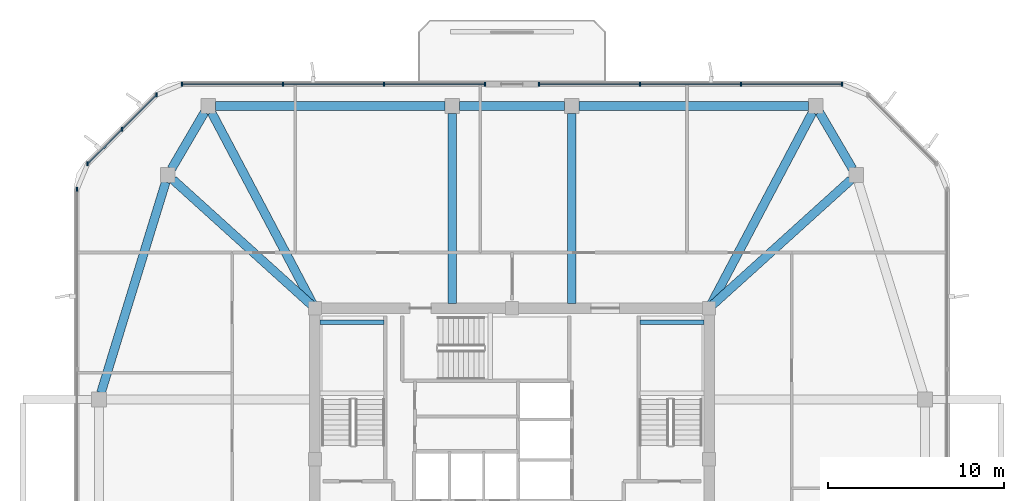
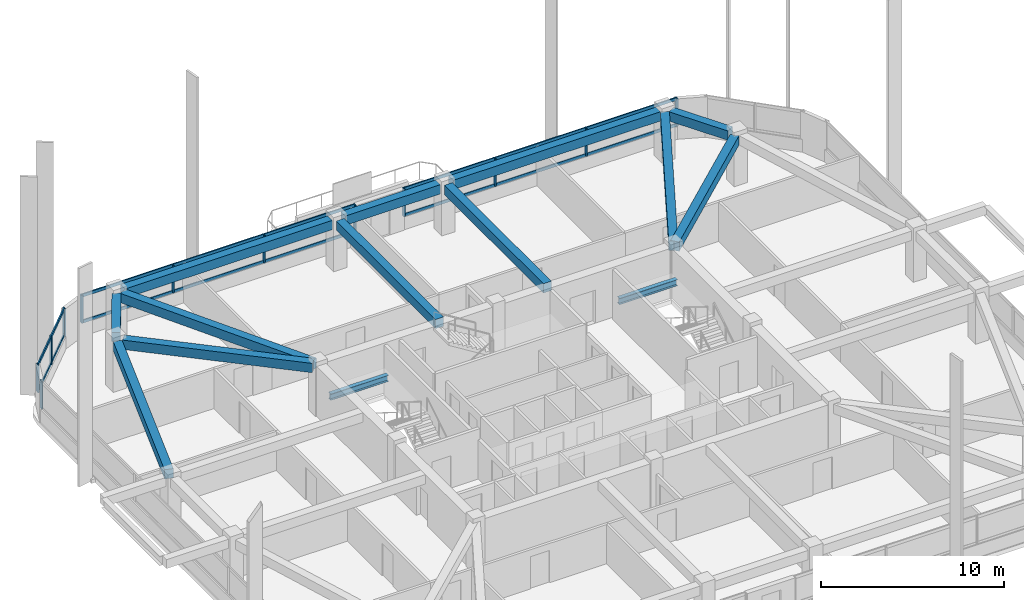
# One storey, part 4 of 12: 18 members, 14 beams, 4 elements without a shape of their own.
"""IFC4 building model written with IfcOpenShell, lengths in metres."""

from ifc_helpers import new_model, si_unit, derived_unit, direction, frame, origin, origin_2d, place, context, subcontext, project, spatial, rectangle, i_section, extrude, material, material_profile, profile_set, type_object, element, aggregate, save


model = new_model("IFC4")

# Units and contexts
model_context = context("Model", 3, precision=1e-05, world=origin(), true_north=direction((0.0, 1.0)))
body_context = subcontext(model_context, "Body", "Model", "MODEL_VIEW")
ifc_project = project(units=[si_unit("LENGTHUNIT", "METRE"), si_unit("AREAUNIT", "SQUARE_METRE"), si_unit("VOLUMEUNIT", "CUBIC_METRE"), si_unit("PLANEANGLEUNIT", "RADIAN"), si_unit("MASSUNIT", "GRAM", prefix="KILO"), derived_unit("THERMALTRANSMITTANCEUNIT", [(si_unit("POWERUNIT", "WATT"), 1), (si_unit("LENGTHUNIT", "METRE"), -2), (si_unit("THERMODYNAMICTEMPERATUREUNIT", "KELVIN"), -1)])], contexts=[model_context])

# Site, building, storey
site_placement = place(None, origin())
site = spatial("IfcSite", under=ifc_project, at=site_placement, CompositionType="ELEMENT")
building_placement = place(site_placement, origin())
building = spatial("IfcBuilding", under=site, at=building_placement, Name="Koralith Skygarden Medical Center", CompositionType="ELEMENT")
storey_placement = place(building_placement, frame((0.0, 0.0, 268.02001953125)))
storey = spatial("IfcBuildingStorey", under=building, at=storey_placement, Name="L69", CompositionType="ELEMENT", Elevation=268.02001953125)

# Curtain wall, members
ifc_material_1 = material(Name="Clear Laminated Glass", Category="glass")
curtain_wall_type = type_object("IfcCurtainWallType", Name="CW-6 Zone 5 Upper Clinical Curtain Wall", PredefinedType="NOTDEFINED", material=ifc_material_1)
curtain_wall_1_placement = place(storey_placement, origin())
curtain_wall_1 = element("IfcCurtainWall", 1, at=curtain_wall_1_placement, inside=storey, type_object=curtain_wall_type, Name="Curtain Wall CW-L69-N-L", PredefinedType="NOTDEFINED")
ifc_material_2 = material(Name="Aluminium 6063-T6", Category="aluminium")
ifc_material_profile_1 = material_profile(ifc_material_2, rectangle(XDim=0.0830078125, YDim=0.219970703125, at=origin_2d()), Name="MUL83X220")
ifc_profile_set_1 = profile_set([ifc_material_profile_1], Name="Aluminium 6063-T6")
member_type_1 = type_object("IfcMemberType", Name="CW-6 Extruded Mullion 83x220", PredefinedType="MULLION", material=ifc_profile_set_1)
member_1_placement = place(storey_placement, frame((55.7451171875, 47.219970703125, 0.85009765625), z_axis=(0.0, 0.0, 1.0), x_axis=(1.0, 0.0, 0.0)))
member_1 = element("IfcMember", 2, at=member_1_placement, type_object=member_type_1, Name="CW-L69-N-L Mullion 1", PredefinedType="MULLION", context=body_context, shape_type="SweptSolid", body=[
    extrude(rectangle(XDim=0.0830078125, YDim=0.219970703125, at=origin_2d()), origin(), (0.0, 0.0, 1.0), 1.83984375),
])
member_2_placement = place(storey_placement, frame((50.010009765625, 47.219970703125, 0.85009765625), z_axis=(0.0, 0.0, 1.0), x_axis=(1.0, 0.0, 0.0)))
member_2 = element("IfcMember", 3, at=member_2_placement, type_object=member_type_1, Name="CW-L69-N-L Mullion 2", PredefinedType="MULLION", context=body_context, shape_type="SweptSolid", body=[
    extrude(rectangle(XDim=0.0830078125, YDim=0.219970703125, at=origin_2d()), origin(), (0.0, 0.0, 1.0), 1.83984375),
])
member_3_placement = place(storey_placement, frame((44.27587890625, 47.219970703125, 0.85009765625), z_axis=(0.0, 0.0, 1.0), x_axis=(1.0, 0.0, 0.0)))
member_3 = element("IfcMember", 4, at=member_3_placement, type_object=member_type_1, Name="CW-L69-N-L Mullion 3", PredefinedType="MULLION", context=body_context, shape_type="SweptSolid", body=[
    extrude(rectangle(XDim=0.0830078125, YDim=0.219970703125, at=origin_2d()), origin(), (0.0, 0.0, 1.0), 1.83984375),
])
member_4_placement = place(storey_placement, frame((38.541015625, 47.219970703125, 0.85009765625), z_axis=(0.0, 0.0, 1.0), x_axis=(1.0, 0.0, 0.0)))
member_4 = element("IfcMember", 5, at=member_4_placement, type_object=member_type_1, Name="CW-L69-N-L Mullion 4", PredefinedType="MULLION", context=body_context, shape_type="SweptSolid", body=[
    extrude(rectangle(XDim=0.0830078125, YDim=0.219970703125, at=origin_2d()), origin(), (0.0, 0.0, 1.0), 1.83984375),
])

curtain_wall_2_placement = place(storey_placement, origin())
curtain_wall_2 = element("IfcCurtainWall", 6, at=curtain_wall_2_placement, inside=storey, type_object=curtain_wall_type, Name="Curtain Wall CW-L69-N-R", PredefinedType="NOTDEFINED")
member_5_placement = place(storey_placement, frame((35.4609375, 47.219970703125, 0.85009765625), z_axis=(0.0, 0.0, 1.0), x_axis=(1.0, 0.0, 0.0)))
member_5 = element("IfcMember", 7, at=member_5_placement, type_object=member_type_1, Name="CW-L69-N-R Mullion 1", PredefinedType="MULLION", context=body_context, shape_type="SweptSolid", body=[
    extrude(rectangle(XDim=0.0830078125, YDim=0.219970703125, at=origin_2d()), origin(), (0.0, 0.0, 1.0), 1.83984375),
])
member_6_placement = place(storey_placement, frame((29.72607421875, 47.219970703125, 0.85009765625), z_axis=(0.0, 0.0, 1.0), x_axis=(1.0, 0.0, 0.0)))
member_6 = element("IfcMember", 8, at=member_6_placement, type_object=member_type_1, Name="CW-L69-N-R Mullion 2", PredefinedType="MULLION", context=body_context, shape_type="SweptSolid", body=[
    extrude(rectangle(XDim=0.0830078125, YDim=0.219970703125, at=origin_2d()), origin(), (0.0, 0.0, 1.0), 1.83984375),
])
member_7_placement = place(storey_placement, frame((23.989990234375, 47.219970703125, 0.85009765625), z_axis=(0.0, 0.0, 1.0), x_axis=(1.0, 0.0, 0.0)))
member_7 = element("IfcMember", 9, at=member_7_placement, type_object=member_type_1, Name="CW-L69-N-R Mullion 3", PredefinedType="MULLION", context=body_context, shape_type="SweptSolid", body=[
    extrude(rectangle(XDim=0.0830078125, YDim=0.219970703125, at=origin_2d()), origin(), (0.0, 0.0, 1.0), 1.83984375),
])
member_8_placement = place(storey_placement, frame((18.2548828125, 47.219970703125, 0.85009765625), z_axis=(0.0, 0.0, 1.0), x_axis=(1.0, 0.0, 0.0)))
member_8 = element("IfcMember", 10, at=member_8_placement, type_object=member_type_1, Name="CW-L69-N-R Mullion 4", PredefinedType="MULLION", context=body_context, shape_type="SweptSolid", body=[
    extrude(rectangle(XDim=0.0830078125, YDim=0.219970703125, at=origin_2d()), origin(), (0.0, 0.0, 1.0), 1.83984375),
])

curtain_wall_3_placement = place(storey_placement, origin())
curtain_wall_3 = element("IfcCurtainWall", 11, at=curtain_wall_3_placement, inside=storey, type_object=curtain_wall_type, Name="Curtain Wall CW-L69-NW", PredefinedType="NOTDEFINED")
member_9_placement = place(storey_placement, frame((16.803955078125, 46.618896484375, 0.85009765625), z_axis=(0.0, 0.0, 1.0), x_axis=(1.0, 0.0, 0.0)))
member_9 = element("IfcMember", 12, at=member_9_placement, type_object=member_type_1, Name="CW-L69-NW Mullion 1", PredefinedType="MULLION", context=body_context, shape_type="SweptSolid", body=[
    extrude(rectangle(XDim=0.0830078125, YDim=0.219970703125, at=origin_2d()), origin(), (0.0, 0.0, 1.0), 1.83984375),
])
member_10_placement = place(storey_placement, frame((14.842041015625, 44.656982421875, 0.85009765625), z_axis=(0.0, 0.0, 1.0), x_axis=(1.0, 0.0, 0.0)))
member_10 = element("IfcMember", 13, at=member_10_placement, type_object=member_type_1, Name="CW-L69-NW Mullion 2", PredefinedType="MULLION", context=body_context, shape_type="SweptSolid", body=[
    extrude(rectangle(XDim=0.0830078125, YDim=0.219970703125, at=origin_2d()), origin(), (0.0, 0.0, 1.0), 1.83984375),
])
member_11_placement = place(storey_placement, frame((12.881103515625, 42.696044921875, 0.85009765625), z_axis=(0.0, 0.0, 1.0), x_axis=(1.0, 0.0, 0.0)))
member_11 = element("IfcMember", 14, at=member_11_placement, type_object=member_type_1, Name="CW-L69-NW Mullion 3", PredefinedType="MULLION", context=body_context, shape_type="SweptSolid", body=[
    extrude(rectangle(XDim=0.0830078125, YDim=0.219970703125, at=origin_2d()), origin(), (0.0, 0.0, 1.0), 1.83984375),
])

# Curtain wall, member
curtain_wall_4_placement = place(storey_placement, origin())
curtain_wall_4 = element("IfcCurtainWall", 15, at=curtain_wall_4_placement, inside=storey, type_object=curtain_wall_type, Name="Curtain Wall CW-L69-W", PredefinedType="NOTDEFINED")
member_12_placement = place(storey_placement, frame((12.280029296875, 41.2451171875, 0.85009765625), z_axis=(0.0, 0.0, 1.0), x_axis=(1.0, 0.0, 0.0)))
member_12 = element("IfcMember", 16, at=member_12_placement, type_object=member_type_1, Name="CW-L69-W Mullion 1", PredefinedType="MULLION", context=body_context, shape_type="SweptSolid", body=[
    extrude(rectangle(XDim=0.0830078125, YDim=0.219970703125, at=origin_2d()), origin(), (0.0, 0.0, 1.0), 1.83984375),
])
aggregate(curtain_wall_4, [member_12])

# Member
ifc_material_profile_2 = material_profile(ifc_material_2, rectangle(XDim=0.077880859375, YDim=0.197998046875, at=origin_2d()), Name="TRN78X198")
ifc_profile_set_2 = profile_set([ifc_material_profile_2], Name="Aluminium 6063-T6")
member_type_2 = type_object("IfcMemberType", Name="CW-6 Thermal Transom 78x198", PredefinedType="USERDEFINED", material=ifc_profile_set_2)
member_13_placement = place(storey_placement, frame((55.7451171875, 47.219970703125, 0.89990234375), z_axis=(-1.0, 0.0, 0.0), x_axis=(0.0, -1.0, 0.0)))
member_13 = element("IfcMember", 17, at=member_13_placement, type_object=member_type_2, Name="CW-L69-N-L Transom 1", ObjectType="TRANSOM", PredefinedType="USERDEFINED", context=body_context, shape_type="SweptSolid", body=[
    extrude(rectangle(XDim=0.077880859375, YDim=0.197998046875, at=origin_2d()), origin(), (0.0, 0.0, 1.0), 17.2041015625),
])

member_14_placement = place(storey_placement, frame((55.7451171875, 47.219970703125, 2.639892578125), z_axis=(-1.0, 0.0, 0.0), x_axis=(0.0, -1.0, 0.0)))
member_14 = element("IfcMember", 18, at=member_14_placement, type_object=member_type_2, Name="CW-L69-N-L Transom 2", ObjectType="TRANSOM", PredefinedType="USERDEFINED", context=body_context, shape_type="SweptSolid", body=[
    extrude(rectangle(XDim=0.077880859375, YDim=0.197998046875, at=origin_2d()), origin(), (0.0, 0.0, 1.0), 17.2041015625),
])

aggregate(curtain_wall_1, [member_1, member_2, member_3, member_4, member_13, member_14])

member_15_placement = place(storey_placement, frame((35.4609375, 47.219970703125, 0.89990234375), z_axis=(-1.0, 0.0, 0.0), x_axis=(0.0, -1.0, 0.0)))
member_15 = element("IfcMember", 19, at=member_15_placement, type_object=member_type_2, Name="CW-L69-N-R Transom 1", ObjectType="TRANSOM", PredefinedType="USERDEFINED", context=body_context, shape_type="SweptSolid", body=[
    extrude(rectangle(XDim=0.077880859375, YDim=0.197998046875, at=origin_2d()), origin(), (0.0, 0.0, 1.0), 17.2060546875),
])

member_16_placement = place(storey_placement, frame((35.4609375, 47.219970703125, 2.639892578125), z_axis=(-1.0, 0.0, 0.0), x_axis=(0.0, -1.0, 0.0)))
member_16 = element("IfcMember", 20, at=member_16_placement, type_object=member_type_2, Name="CW-L69-N-R Transom 2", ObjectType="TRANSOM", PredefinedType="USERDEFINED", context=body_context, shape_type="SweptSolid", body=[
    extrude(rectangle(XDim=0.077880859375, YDim=0.197998046875, at=origin_2d()), origin(), (0.0, 0.0, 1.0), 17.2060546875),
])

aggregate(curtain_wall_2, [member_5, member_6, member_7, member_8, member_15, member_16])

member_17_placement = place(storey_placement, frame((16.803955078125, 46.618896484375, 0.89990234375), z_axis=(-0.707106781187, -0.707106781187, 0.0), x_axis=(0.707106781187, -0.707106781187, 0.0)))
member_17 = element("IfcMember", 21, at=member_17_placement, type_object=member_type_2, Name="CW-L69-NW Transom 1", ObjectType="TRANSOM", PredefinedType="USERDEFINED", context=body_context, shape_type="SweptSolid", body=[
    extrude(rectangle(XDim=0.077880859375, YDim=0.197998046875, at=origin_2d()), origin(), (0.0, 0.0, 1.0), 5.5478515625),
])

member_18_placement = place(storey_placement, frame((16.803955078125, 46.618896484375, 2.639892578125), z_axis=(-0.707106781187, -0.707106781187, 0.0), x_axis=(0.707106781187, -0.707106781187, 0.0)))
member_18 = element("IfcMember", 22, at=member_18_placement, type_object=member_type_2, Name="CW-L69-NW Transom 2", ObjectType="TRANSOM", PredefinedType="USERDEFINED", context=body_context, shape_type="SweptSolid", body=[
    extrude(rectangle(XDim=0.077880859375, YDim=0.197998046875, at=origin_2d()), origin(), (0.0, 0.0, 1.0), 5.5478515625),
])

aggregate(curtain_wall_3, [member_9, member_10, member_11, member_17, member_18])

# Beams
ifc_material_3 = material(Name="Steel ASTM A992 Grade 50", Category="steel")
ifc_material_profile_3 = material_profile(ifc_material_3, i_section(OverallWidth=0.260009765625, OverallDepth=0.4150390625, WebThickness=0.010009765625, FlangeThickness=0.016845703125, at=origin_2d()), Name="W16X67")
ifc_profile_set_3 = profile_set([ifc_material_profile_3], Name="Steel ASTM A992 Grade 50")
beam_type_1 = type_object("IfcBeamType", Name="Clinical Floor Joist W16X67", PredefinedType="JOIST", material=ifc_profile_set_3)
for number, where, z_axis, x_axis, name in (
    (23, (26.080078125, 33.699951171875, 1.39306640625), (1.0, 0.0, 0.0), (0.0, 1.0, 0.0), "L69 Stair ST1 Half-Landing Support Beam 1B"),
    (24, (44.280029296875, 33.699951171875, 1.39306640625), (1.0, 0.0, 0.0), (0.0, 1.0, 0.0), "L69 Stair ST2 Half-Landing Support Beam 1B"),
):
    element("IfcBeam", number, at=place(storey_placement, frame(where, z_axis=z_axis, x_axis=x_axis)), inside=storey, type_object=beam_type_1, Name=name, PredefinedType="JOIST", context=body_context, shape_type="SweptSolid", body=[
        extrude(i_section(OverallWidth=0.260009765625, OverallDepth=0.4150390625, WebThickness=0.010009765625, FlangeThickness=0.016845703125, at=origin_2d()), origin(), (0.0, 0.0, 1.0), 3.639892578125),
    ])
ifc_material_4 = material(Name="Concrete C45/55", Category="concrete")
ifc_material_profile_4 = material_profile(ifc_material_4, rectangle(XDim=0.5, YDim=0.6201171875, at=origin_2d()), Name="RCB500X620")
ifc_profile_set_4 = profile_set([ifc_material_profile_4], Name="Concrete C45/55")
beam_type_2 = type_object("IfcBeamType", Name="Upper Radial Collector Beam RCB500X620", PredefinedType="BEAM", material=ifc_profile_set_4)
beam_1_placement = place(storey_placement, frame((48.385009765625, 34.66796875, 3.010009765625), z_axis=(0.741747768548, 0.670678945438, 0.0), x_axis=(-0.670678945438, 0.741747768548, 0.0)))
element("IfcBeam", 25, at=beam_1_placement, inside=storey, type_object=beam_type_2, Name="L69 Radial Collector Beam RB-10", PredefinedType="BEAM", context=body_context, shape_type="SweptSolid", body=[
    extrude(rectangle(XDim=0.5, YDim=0.6201171875, at=origin_2d()), origin(), (0.0, 0.0, 1.0), 10.611572265625),
])
beam_2_placement = place(storey_placement, frame((48.31689453125, 34.720947265625, 3.010009765625), z_axis=(0.467256895772, 0.884121594213, 0.0), x_axis=(-0.884121594213, 0.467256895772, 0.0)))
element("IfcBeam", 26, at=beam_2_placement, inside=storey, type_object=beam_type_2, Name="L69 Radial Collector Beam RB-11", PredefinedType="BEAM", context=body_context, shape_type="SweptSolid", body=[
    extrude(rectangle(XDim=0.5, YDim=0.6201171875, at=origin_2d()), origin(), (0.0, 0.0, 1.0), 12.3251953125),
])
for number, where, z_axis, x_axis, name in (
    (27, (40.39990234375, 34.75, 3.010009765625), (0.0, 1.0, 0.0), (-1.0, 0.0, 0.0), "L69 Radial Collector Beam RB-12"),
    (28, (33.60009765625, 34.75, 3.010009765625), (0.0, 1.0, 0.0), (-1.0, 0.0, 0.0), "L69 Radial Collector Beam RB-13"),
):
    element("IfcBeam", number, at=place(storey_placement, frame(where, z_axis=z_axis, x_axis=x_axis)), inside=storey, type_object=beam_type_2, Name=name, PredefinedType="BEAM", context=body_context, shape_type="SweptSolid", body=[
        extrude(rectangle(XDim=0.5, YDim=0.6201171875, at=origin_2d()), origin(), (0.0, 0.0, 1.0), 10.820068359375),
    ])
beam_3_placement = place(storey_placement, frame((25.68310546875, 34.720947265625, 3.010009765625), z_axis=(-0.467256895772, 0.884121594213, 0.0), x_axis=(-0.884121594213, -0.467256895772, 0.0)))
element("IfcBeam", 29, at=beam_3_placement, inside=storey, type_object=beam_type_2, Name="L69 Radial Collector Beam RB-14", PredefinedType="BEAM", context=body_context, shape_type="SweptSolid", body=[
    extrude(rectangle(XDim=0.5, YDim=0.6201171875, at=origin_2d()), origin(), (0.0, 0.0, 1.0), 12.3251953125),
])
beam_4_placement = place(storey_placement, frame((25.614990234375, 34.66796875, 3.010009765625), z_axis=(-0.741747768548, 0.670678945438, 0.0), x_axis=(-0.670678945438, -0.741747768548, 0.0)))
element("IfcBeam", 30, at=beam_4_placement, inside=storey, type_object=beam_type_2, Name="L69 Radial Collector Beam RB-15", PredefinedType="BEAM", context=body_context, shape_type="SweptSolid", body=[
    extrude(rectangle(XDim=0.5, YDim=0.6201171875, at=origin_2d()), origin(), (0.0, 0.0, 1.0), 10.611572265625),
])
ifc_material_profile_5 = material_profile(ifc_material_4, rectangle(XDim=0.5, YDim=0.6201171875, at=origin_2d()), Name="RCB500X620")
ifc_profile_set_5 = profile_set([ifc_material_profile_5], Name="Concrete C45/55")
beam_type_3 = type_object("IfcBeamType", Name="Zone 4-5 Spandrel Beam RCB500X620", PredefinedType="SPANDREL", material=ifc_profile_set_5)
beam_5_placement = place(storey_placement, frame((56.35302734375, 42.4140625, 3.010009765625), z_axis=(-0.50473571007, 0.863273921175, 0.0), x_axis=(-0.863273921175, -0.50473571007, 0.0)))
element("IfcBeam", 31, at=beam_5_placement, inside=storey, type_object=beam_type_3, Name="L69 Perimeter Spandrel Beam SP-10", PredefinedType="SPANDREL", context=body_context, shape_type="SweptSolid", body=[
    extrude(rectangle(XDim=0.5, YDim=0.6201171875, at=origin_2d()), origin(), (0.0, 0.0, 1.0), 3.720703125),
])
beam_6_placement = place(storey_placement, frame((53.85791015625, 45.97998046875, 3.010009765625), z_axis=(-1.0, 0.0, 0.0), x_axis=(0.0, -1.0, 0.0)))
element("IfcBeam", 32, at=beam_6_placement, inside=storey, type_object=beam_type_3, Name="L69 Perimeter Spandrel Beam SP-11", PredefinedType="SPANDREL", context=body_context, shape_type="SweptSolid", body=[
    extrude(rectangle(XDim=0.5, YDim=0.6201171875, at=origin_2d()), origin(), (0.0, 0.0, 1.0), 13.0478515625),
])
beam_7_placement = place(storey_placement, frame((39.989990234375, 45.97998046875, 3.010009765625), z_axis=(-1.0, 0.0, 0.0), x_axis=(0.0, -1.0, 0.0)))
element("IfcBeam", 33, at=beam_7_placement, inside=storey, type_object=beam_type_3, Name="L69 Perimeter Spandrel Beam SP-12", PredefinedType="SPANDREL", context=body_context, shape_type="SweptSolid", body=[
    extrude(rectangle(XDim=0.5, YDim=0.6201171875, at=origin_2d()), origin(), (0.0, 0.0, 1.0), 5.97998046875),
])
beam_8_placement = place(storey_placement, frame((33.18994140625, 45.97998046875, 3.010009765625), z_axis=(-1.0, 0.0, 0.0), x_axis=(0.0, -1.0, 0.0)))
element("IfcBeam", 34, at=beam_8_placement, inside=storey, type_object=beam_type_3, Name="L69 Perimeter Spandrel Beam SP-13", PredefinedType="SPANDREL", context=body_context, shape_type="SweptSolid", body=[
    extrude(rectangle(XDim=0.5, YDim=0.6201171875, at=origin_2d()), origin(), (0.0, 0.0, 1.0), 13.0478515625),
])
beam_9_placement = place(storey_placement, frame((19.52490234375, 45.6259765625, 3.010009765625), z_axis=(-0.50473571007, -0.863273921175, 0.0), x_axis=(0.863273921175, -0.50473571007, 0.0)))
element("IfcBeam", 35, at=beam_9_placement, inside=storey, type_object=beam_type_3, Name="L69 Perimeter Spandrel Beam SP-14", PredefinedType="SPANDREL", context=body_context, shape_type="SweptSolid", body=[
    extrude(rectangle(XDim=0.5, YDim=0.6201171875, at=origin_2d()), origin(), (0.0, 0.0, 1.0), 3.720703125),
])
beam_10_placement = place(storey_placement, frame((17.320068359375, 41.66796875, 3.010009765625), z_axis=(-0.293738023424, -0.955885962652, 0.0), x_axis=(0.955885962652, -0.293738023424, 0.0)))
element("IfcBeam", 36, at=beam_10_placement, inside=storey, type_object=beam_type_3, Name="L69 Perimeter Spandrel Beam SP-15", PredefinedType="SPANDREL", context=body_context, shape_type="SweptSolid", body=[
    extrude(rectangle(XDim=0.5, YDim=0.6201171875, at=origin_2d()), origin(), (0.0, 0.0, 1.0), 12.52880859375),
])

save(model, "model.ifc")
